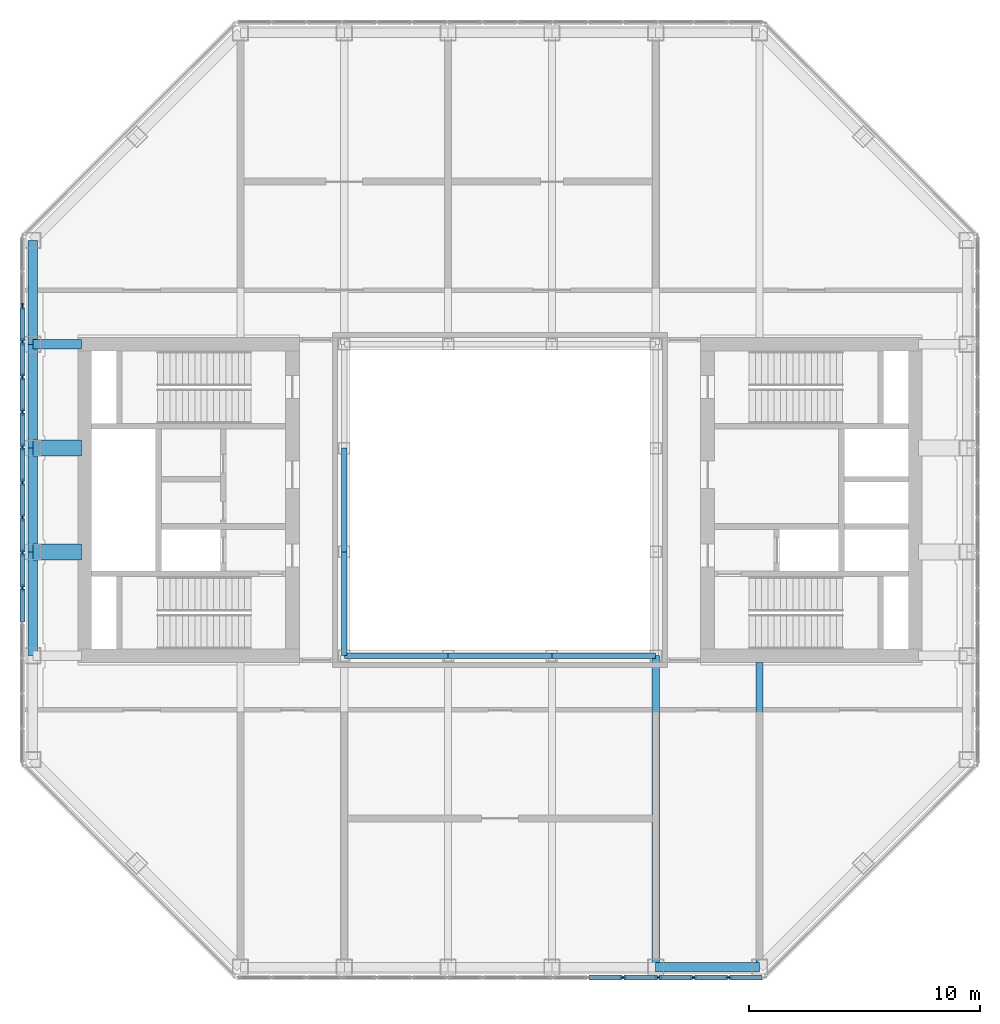
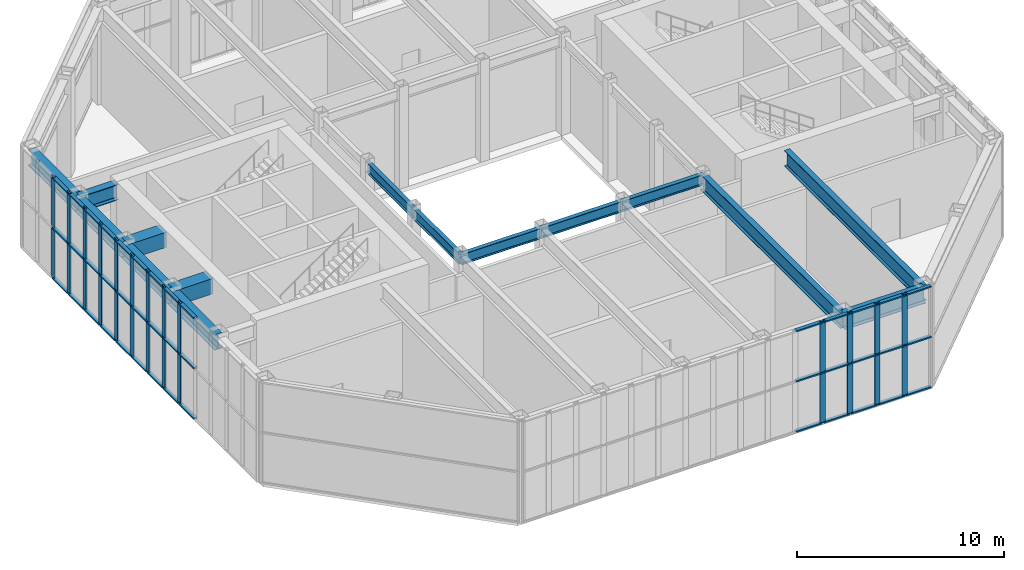
# One storey, part 3 of 12: 55 members, 15 beams, 2 elements without a shape of their own.
"""IFC4 building model written with IfcOpenShell, lengths in metres."""

from ifc_helpers import new_model, si_unit, direction, frame, origin, origin_2d, place, context, subcontext, project, spatial, rectangle, hollow_rectangle, i_section, extrude, material, material_profile, profile_set, type_object, element, aggregate, save


model = new_model("IFC4")

# Units and contexts
model_context = context("Model", 3, precision=1e-05, world=origin(), true_north=direction((0.0, 1.0)))
body_context = subcontext(model_context, "Body", "Model", "MODEL_VIEW")
ifc_project = project(units=[si_unit("LENGTHUNIT", "METRE"), si_unit("AREAUNIT", "SQUARE_METRE"), si_unit("VOLUMEUNIT", "CUBIC_METRE"), si_unit("PLANEANGLEUNIT", "RADIAN"), si_unit("MASSUNIT", "GRAM", prefix="KILO")], contexts=[model_context])

# Site, building, storey
site_placement = place(None, origin())
site = spatial("IfcSite", under=ifc_project, at=site_placement, CompositionType="ELEMENT")
building_placement = place(site_placement, origin())
building = spatial("IfcBuilding", under=site, at=building_placement, Name="Msasa Ring Tower", CompositionType="ELEMENT")
storey_placement = place(building_placement, frame((0.0, 0.0, 262.050048828125)))
storey = spatial("IfcBuildingStorey", under=building, at=storey_placement, Name="L68", CompositionType="ELEMENT", Elevation=262.050048828125)

# Curtain wall, members
ifc_material_1 = material(Name="Aluminium curtain wall with clear glass", Category="aluminium")
curtain_wall_type = type_object("IfcCurtainWallType", Name="CW-L LANTERN CURTAIN WALL", PredefinedType="NOTDEFINED", material=ifc_material_1)
curtain_wall_1_placement = place(storey_placement, origin())
curtain_wall_1 = element("IfcCurtainWall", 1, at=curtain_wall_1_placement, inside=storey, type_object=curtain_wall_type, Name="Lantern curtain wall S L68", PredefinedType="NOTDEFINED")
ifc_material_2 = material(Name="Aluminium mullion", Category="aluminium")
ifc_material_profile_1 = material_profile(ifc_material_2, rectangle(XDim=0.080078125, YDim=0.300048828125, at=origin_2d()), Name="AL 80x300")
ifc_profile_set_1 = profile_set([ifc_material_profile_1], Name="Aluminium mullion")
member_type_1 = type_object("IfcMemberType", Name="CW-L MULLION 80x300", PredefinedType="MULLION", material=ifc_profile_set_1)
member_1_placement = place(storey_placement, frame((5.3369140625, -20.699951171875, 0.0), z_axis=(0.0, 0.0, 1.0), x_axis=(0.0, 1.0, 0.0)))
member_1 = element("IfcMember", 2, at=member_1_placement, type_object=member_type_1, Name="CW-L mullion 12", PredefinedType="MULLION", context=body_context, shape_type="SweptSolid", body=[
    extrude(rectangle(XDim=0.080078125, YDim=0.300048828125, at=origin_2d()), origin(), (0.0, 0.0, 1.0), 6.0),
])
member_2_placement = place(storey_placement, frame((6.86181640625, -20.699951171875, 0.0), z_axis=(0.0, 0.0, 1.0), x_axis=(0.0, 1.0, 0.0)))
member_2 = element("IfcMember", 3, at=member_2_placement, type_object=member_type_1, Name="CW-L mullion 13", PredefinedType="MULLION", context=body_context, shape_type="SweptSolid", body=[
    extrude(rectangle(XDim=0.080078125, YDim=0.300048828125, at=origin_2d()), origin(), (0.0, 0.0, 1.0), 6.0),
])
member_3_placement = place(storey_placement, frame((8.38671875, -20.699951171875, 0.0), z_axis=(0.0, 0.0, 1.0), x_axis=(0.0, 1.0, 0.0)))
member_3 = element("IfcMember", 4, at=member_3_placement, type_object=member_type_1, Name="CW-L mullion 14", PredefinedType="MULLION", context=body_context, shape_type="SweptSolid", body=[
    extrude(rectangle(XDim=0.080078125, YDim=0.300048828125, at=origin_2d()), origin(), (0.0, 0.0, 1.0), 6.0),
])
member_4_placement = place(storey_placement, frame((9.91162109375, -20.699951171875, 0.0), z_axis=(0.0, 0.0, 1.0), x_axis=(0.0, 1.0, 0.0)))
member_4 = element("IfcMember", 5, at=member_4_placement, type_object=member_type_1, Name="CW-L mullion 15", PredefinedType="MULLION", context=body_context, shape_type="SweptSolid", body=[
    extrude(rectangle(XDim=0.080078125, YDim=0.300048828125, at=origin_2d()), origin(), (0.0, 0.0, 1.0), 6.0),
])

curtain_wall_2_placement = place(storey_placement, origin())
curtain_wall_2 = element("IfcCurtainWall", 6, at=curtain_wall_2_placement, inside=storey, type_object=curtain_wall_type, Name="Lantern curtain wall W L68", PredefinedType="NOTDEFINED")
member_5_placement = place(storey_placement, frame((-20.699951171875, 8.38671875, 0.0), z_axis=(0.0, 0.0, 1.0), x_axis=(1.0, 0.0, 0.0)))
member_5 = element("IfcMember", 7, at=member_5_placement, type_object=member_type_1, Name="CW-L mullion 3", PredefinedType="MULLION", context=body_context, shape_type="SweptSolid", body=[
    extrude(rectangle(XDim=0.080078125, YDim=0.300048828125, at=origin_2d()), origin(), (0.0, 0.0, 1.0), 6.0),
])
member_6_placement = place(storey_placement, frame((-20.699951171875, 6.86181640625, 0.0), z_axis=(0.0, 0.0, 1.0), x_axis=(1.0, 0.0, 0.0)))
member_6 = element("IfcMember", 8, at=member_6_placement, type_object=member_type_1, Name="CW-L mullion 4", PredefinedType="MULLION", context=body_context, shape_type="SweptSolid", body=[
    extrude(rectangle(XDim=0.080078125, YDim=0.300048828125, at=origin_2d()), origin(), (0.0, 0.0, 1.0), 6.0),
])
member_7_placement = place(storey_placement, frame((-20.699951171875, 5.3369140625, 0.0), z_axis=(0.0, 0.0, 1.0), x_axis=(1.0, 0.0, 0.0)))
member_7 = element("IfcMember", 9, at=member_7_placement, type_object=member_type_1, Name="CW-L mullion 5", PredefinedType="MULLION", context=body_context, shape_type="SweptSolid", body=[
    extrude(rectangle(XDim=0.080078125, YDim=0.300048828125, at=origin_2d()), origin(), (0.0, 0.0, 1.0), 6.0),
])
member_8_placement = place(storey_placement, frame((-20.699951171875, 3.81201171875, 0.0), z_axis=(0.0, 0.0, 1.0), x_axis=(1.0, 0.0, 0.0)))
member_8 = element("IfcMember", 10, at=member_8_placement, type_object=member_type_1, Name="CW-L mullion 6", PredefinedType="MULLION", context=body_context, shape_type="SweptSolid", body=[
    extrude(rectangle(XDim=0.080078125, YDim=0.300048828125, at=origin_2d()), origin(), (0.0, 0.0, 1.0), 6.0),
])
member_9_placement = place(storey_placement, frame((-20.699951171875, 2.287353515625, 0.0), z_axis=(0.0, 0.0, 1.0), x_axis=(1.0, 0.0, 0.0)))
member_9 = element("IfcMember", 11, at=member_9_placement, type_object=member_type_1, Name="CW-L mullion 7", PredefinedType="MULLION", context=body_context, shape_type="SweptSolid", body=[
    extrude(rectangle(XDim=0.080078125, YDim=0.300048828125, at=origin_2d()), origin(), (0.0, 0.0, 1.0), 6.0),
])
member_10_placement = place(storey_placement, frame((-20.699951171875, 0.762451171875, 0.0), z_axis=(0.0, 0.0, 1.0), x_axis=(1.0, 0.0, 0.0)))
member_10 = element("IfcMember", 12, at=member_10_placement, type_object=member_type_1, Name="CW-L mullion 8", PredefinedType="MULLION", context=body_context, shape_type="SweptSolid", body=[
    extrude(rectangle(XDim=0.080078125, YDim=0.300048828125, at=origin_2d()), origin(), (0.0, 0.0, 1.0), 6.0),
])
member_11_placement = place(storey_placement, frame((-20.699951171875, -0.762451171875, 0.0), z_axis=(0.0, 0.0, 1.0), x_axis=(1.0, 0.0, 0.0)))
member_11 = element("IfcMember", 13, at=member_11_placement, type_object=member_type_1, Name="CW-L mullion 9", PredefinedType="MULLION", context=body_context, shape_type="SweptSolid", body=[
    extrude(rectangle(XDim=0.080078125, YDim=0.300048828125, at=origin_2d()), origin(), (0.0, 0.0, 1.0), 6.0),
])
member_12_placement = place(storey_placement, frame((-20.699951171875, -2.287353515625, 0.0), z_axis=(0.0, 0.0, 1.0), x_axis=(1.0, 0.0, 0.0)))
member_12 = element("IfcMember", 14, at=member_12_placement, type_object=member_type_1, Name="CW-L mullion 10", PredefinedType="MULLION", context=body_context, shape_type="SweptSolid", body=[
    extrude(rectangle(XDim=0.080078125, YDim=0.300048828125, at=origin_2d()), origin(), (0.0, 0.0, 1.0), 6.0),
])
member_13_placement = place(storey_placement, frame((-20.699951171875, -3.81201171875, 0.0), z_axis=(0.0, 0.0, 1.0), x_axis=(1.0, 0.0, 0.0)))
member_13 = element("IfcMember", 15, at=member_13_placement, type_object=member_type_1, Name="CW-L mullion 11", PredefinedType="MULLION", context=body_context, shape_type="SweptSolid", body=[
    extrude(rectangle(XDim=0.080078125, YDim=0.300048828125, at=origin_2d()), origin(), (0.0, 0.0, 1.0), 6.0),
])

# Member
ifc_material_3 = material(Name="Aluminium transom", Category="aluminium")
ifc_material_profile_2 = material_profile(ifc_material_3, rectangle(XDim=0.199951171875, YDim=0.080078125, at=origin_2d()), Name="AL 80x200")
ifc_profile_set_2 = profile_set([ifc_material_profile_2], Name="Aluminium transom")
member_type_2 = type_object("IfcMemberType", Name="CW-L TRANSOM 80x200", PredefinedType="USERDEFINED", material=ifc_profile_set_2)
member_14_placement = place(storey_placement, frame((3.85205078125, -20.699951171875, 0.0400390625), z_axis=(1.0, 0.0, 0.0), x_axis=(0.0, 1.0, 0.0)))
member_14 = element("IfcMember", 16, at=member_14_placement, type_object=member_type_2, Name="CW-L transom 11.1", ObjectType="TRANSOM", PredefinedType="USERDEFINED", context=body_context, shape_type="SweptSolid", body=[
    extrude(rectangle(XDim=0.199951171875, YDim=0.080078125, at=origin_2d()), origin(), (0.0, 0.0, 1.0), 1.44482421875),
])

member_15_placement = place(storey_placement, frame((3.85205078125, -20.699951171875, 3.0), z_axis=(1.0, 0.0, 0.0), x_axis=(0.0, 1.0, 0.0)))
member_15 = element("IfcMember", 17, at=member_15_placement, type_object=member_type_2, Name="CW-L transom 11.2", ObjectType="TRANSOM", PredefinedType="USERDEFINED", context=body_context, shape_type="SweptSolid", body=[
    extrude(rectangle(XDim=0.199951171875, YDim=0.080078125, at=origin_2d()), origin(), (0.0, 0.0, 1.0), 1.44482421875),
])

member_16_placement = place(storey_placement, frame((3.85205078125, -20.699951171875, 5.9599609375), z_axis=(1.0, 0.0, 0.0), x_axis=(0.0, 1.0, 0.0)))
member_16 = element("IfcMember", 18, at=member_16_placement, type_object=member_type_2, Name="CW-L transom 11.3", ObjectType="TRANSOM", PredefinedType="USERDEFINED", context=body_context, shape_type="SweptSolid", body=[
    extrude(rectangle(XDim=0.199951171875, YDim=0.080078125, at=origin_2d()), origin(), (0.0, 0.0, 1.0), 1.44482421875),
])

member_17_placement = place(storey_placement, frame((5.376953125, -20.699951171875, 0.0400390625), z_axis=(1.0, 0.0, 0.0), x_axis=(0.0, 1.0, 0.0)))
member_17 = element("IfcMember", 19, at=member_17_placement, type_object=member_type_2, Name="CW-L transom 12.1", ObjectType="TRANSOM", PredefinedType="USERDEFINED", context=body_context, shape_type="SweptSolid", body=[
    extrude(rectangle(XDim=0.199951171875, YDim=0.080078125, at=origin_2d()), origin(), (0.0, 0.0, 1.0), 1.44482421875),
])

member_18_placement = place(storey_placement, frame((5.376953125, -20.699951171875, 3.0), z_axis=(1.0, 0.0, 0.0), x_axis=(0.0, 1.0, 0.0)))
member_18 = element("IfcMember", 20, at=member_18_placement, type_object=member_type_2, Name="CW-L transom 12.2", ObjectType="TRANSOM", PredefinedType="USERDEFINED", context=body_context, shape_type="SweptSolid", body=[
    extrude(rectangle(XDim=0.199951171875, YDim=0.080078125, at=origin_2d()), origin(), (0.0, 0.0, 1.0), 1.44482421875),
])

member_19_placement = place(storey_placement, frame((5.376953125, -20.699951171875, 5.9599609375), z_axis=(1.0, 0.0, 0.0), x_axis=(0.0, 1.0, 0.0)))
member_19 = element("IfcMember", 21, at=member_19_placement, type_object=member_type_2, Name="CW-L transom 12.3", ObjectType="TRANSOM", PredefinedType="USERDEFINED", context=body_context, shape_type="SweptSolid", body=[
    extrude(rectangle(XDim=0.199951171875, YDim=0.080078125, at=origin_2d()), origin(), (0.0, 0.0, 1.0), 1.44482421875),
])

member_20_placement = place(storey_placement, frame((6.90185546875, -20.699951171875, 0.0400390625), z_axis=(1.0, 0.0, 0.0), x_axis=(0.0, 1.0, 0.0)))
member_20 = element("IfcMember", 22, at=member_20_placement, type_object=member_type_2, Name="CW-L transom 13.1", ObjectType="TRANSOM", PredefinedType="USERDEFINED", context=body_context, shape_type="SweptSolid", body=[
    extrude(rectangle(XDim=0.199951171875, YDim=0.080078125, at=origin_2d()), origin(), (0.0, 0.0, 1.0), 1.44482421875),
])

member_21_placement = place(storey_placement, frame((6.90185546875, -20.699951171875, 3.0), z_axis=(1.0, 0.0, 0.0), x_axis=(0.0, 1.0, 0.0)))
member_21 = element("IfcMember", 23, at=member_21_placement, type_object=member_type_2, Name="CW-L transom 13.2", ObjectType="TRANSOM", PredefinedType="USERDEFINED", context=body_context, shape_type="SweptSolid", body=[
    extrude(rectangle(XDim=0.199951171875, YDim=0.080078125, at=origin_2d()), origin(), (0.0, 0.0, 1.0), 1.44482421875),
])

member_22_placement = place(storey_placement, frame((6.90185546875, -20.699951171875, 5.9599609375), z_axis=(1.0, 0.0, 0.0), x_axis=(0.0, 1.0, 0.0)))
member_22 = element("IfcMember", 24, at=member_22_placement, type_object=member_type_2, Name="CW-L transom 13.3", ObjectType="TRANSOM", PredefinedType="USERDEFINED", context=body_context, shape_type="SweptSolid", body=[
    extrude(rectangle(XDim=0.199951171875, YDim=0.080078125, at=origin_2d()), origin(), (0.0, 0.0, 1.0), 1.44482421875),
])

member_23_placement = place(storey_placement, frame((8.4267578125, -20.699951171875, 0.0400390625), z_axis=(1.0, 0.0, 0.0), x_axis=(0.0, 1.0, 0.0)))
member_23 = element("IfcMember", 25, at=member_23_placement, type_object=member_type_2, Name="CW-L transom 14.1", ObjectType="TRANSOM", PredefinedType="USERDEFINED", context=body_context, shape_type="SweptSolid", body=[
    extrude(rectangle(XDim=0.199951171875, YDim=0.080078125, at=origin_2d()), origin(), (0.0, 0.0, 1.0), 1.44482421875),
])

member_24_placement = place(storey_placement, frame((8.4267578125, -20.699951171875, 3.0), z_axis=(1.0, 0.0, 0.0), x_axis=(0.0, 1.0, 0.0)))
member_24 = element("IfcMember", 26, at=member_24_placement, type_object=member_type_2, Name="CW-L transom 14.2", ObjectType="TRANSOM", PredefinedType="USERDEFINED", context=body_context, shape_type="SweptSolid", body=[
    extrude(rectangle(XDim=0.199951171875, YDim=0.080078125, at=origin_2d()), origin(), (0.0, 0.0, 1.0), 1.44482421875),
])

member_25_placement = place(storey_placement, frame((8.4267578125, -20.699951171875, 5.9599609375), z_axis=(1.0, 0.0, 0.0), x_axis=(0.0, 1.0, 0.0)))
member_25 = element("IfcMember", 27, at=member_25_placement, type_object=member_type_2, Name="CW-L transom 14.3", ObjectType="TRANSOM", PredefinedType="USERDEFINED", context=body_context, shape_type="SweptSolid", body=[
    extrude(rectangle(XDim=0.199951171875, YDim=0.080078125, at=origin_2d()), origin(), (0.0, 0.0, 1.0), 1.44482421875),
])

member_26_placement = place(storey_placement, frame((9.95166015625, -20.699951171875, 0.0400390625), z_axis=(1.0, 0.0, 0.0), x_axis=(0.0, 1.0, 0.0)))
member_26 = element("IfcMember", 28, at=member_26_placement, type_object=member_type_2, Name="CW-L transom 15.1", ObjectType="TRANSOM", PredefinedType="USERDEFINED", context=body_context, shape_type="SweptSolid", body=[
    extrude(rectangle(XDim=0.199951171875, YDim=0.080078125, at=origin_2d()), origin(), (0.0, 0.0, 1.0), 1.40478515625),
])

member_27_placement = place(storey_placement, frame((9.95166015625, -20.699951171875, 3.0), z_axis=(1.0, 0.0, 0.0), x_axis=(0.0, 1.0, 0.0)))
member_27 = element("IfcMember", 29, at=member_27_placement, type_object=member_type_2, Name="CW-L transom 15.2", ObjectType="TRANSOM", PredefinedType="USERDEFINED", context=body_context, shape_type="SweptSolid", body=[
    extrude(rectangle(XDim=0.199951171875, YDim=0.080078125, at=origin_2d()), origin(), (0.0, 0.0, 1.0), 1.40478515625),
])

member_28_placement = place(storey_placement, frame((9.95166015625, -20.699951171875, 5.9599609375), z_axis=(1.0, 0.0, 0.0), x_axis=(0.0, 1.0, 0.0)))
member_28 = element("IfcMember", 30, at=member_28_placement, type_object=member_type_2, Name="CW-L transom 15.3", ObjectType="TRANSOM", PredefinedType="USERDEFINED", context=body_context, shape_type="SweptSolid", body=[
    extrude(rectangle(XDim=0.199951171875, YDim=0.080078125, at=origin_2d()), origin(), (0.0, 0.0, 1.0), 1.40478515625),
])

aggregate(curtain_wall_1, [member_1, member_2, member_3, member_4, member_14, member_15, member_16, member_17, member_18, member_19, member_20, member_21, member_22, member_23, member_24, member_25, member_26, member_27, member_28])

member_29_placement = place(storey_placement, frame((-20.699951171875, 8.3466796875, 0.0400390625), z_axis=(0.0, -1.0, 0.0), x_axis=(1.0, 0.0, 0.0)))
member_29 = element("IfcMember", 31, at=member_29_placement, type_object=member_type_2, Name="CW-L transom 3.1", ObjectType="TRANSOM", PredefinedType="USERDEFINED", context=body_context, shape_type="SweptSolid", body=[
    extrude(rectangle(XDim=0.199951171875, YDim=0.080078125, at=origin_2d()), origin(), (0.0, 0.0, 1.0), 1.44482421875),
])

member_30_placement = place(storey_placement, frame((-20.699951171875, 8.3466796875, 3.0), z_axis=(0.0, -1.0, 0.0), x_axis=(1.0, 0.0, 0.0)))
member_30 = element("IfcMember", 32, at=member_30_placement, type_object=member_type_2, Name="CW-L transom 3.2", ObjectType="TRANSOM", PredefinedType="USERDEFINED", context=body_context, shape_type="SweptSolid", body=[
    extrude(rectangle(XDim=0.199951171875, YDim=0.080078125, at=origin_2d()), origin(), (0.0, 0.0, 1.0), 1.44482421875),
])

member_31_placement = place(storey_placement, frame((-20.699951171875, 8.3466796875, 5.9599609375), z_axis=(0.0, -1.0, 0.0), x_axis=(1.0, 0.0, 0.0)))
member_31 = element("IfcMember", 33, at=member_31_placement, type_object=member_type_2, Name="CW-L transom 3.3", ObjectType="TRANSOM", PredefinedType="USERDEFINED", context=body_context, shape_type="SweptSolid", body=[
    extrude(rectangle(XDim=0.199951171875, YDim=0.080078125, at=origin_2d()), origin(), (0.0, 0.0, 1.0), 1.44482421875),
])

member_32_placement = place(storey_placement, frame((-20.699951171875, 6.82177734375, 0.0400390625), z_axis=(0.0, -1.0, 0.0), x_axis=(1.0, 0.0, 0.0)))
member_32 = element("IfcMember", 34, at=member_32_placement, type_object=member_type_2, Name="CW-L transom 4.1", ObjectType="TRANSOM", PredefinedType="USERDEFINED", context=body_context, shape_type="SweptSolid", body=[
    extrude(rectangle(XDim=0.199951171875, YDim=0.080078125, at=origin_2d()), origin(), (0.0, 0.0, 1.0), 1.44482421875),
])

member_33_placement = place(storey_placement, frame((-20.699951171875, 6.82177734375, 3.0), z_axis=(0.0, -1.0, 0.0), x_axis=(1.0, 0.0, 0.0)))
member_33 = element("IfcMember", 35, at=member_33_placement, type_object=member_type_2, Name="CW-L transom 4.2", ObjectType="TRANSOM", PredefinedType="USERDEFINED", context=body_context, shape_type="SweptSolid", body=[
    extrude(rectangle(XDim=0.199951171875, YDim=0.080078125, at=origin_2d()), origin(), (0.0, 0.0, 1.0), 1.44482421875),
])

member_34_placement = place(storey_placement, frame((-20.699951171875, 6.82177734375, 5.9599609375), z_axis=(0.0, -1.0, 0.0), x_axis=(1.0, 0.0, 0.0)))
member_34 = element("IfcMember", 36, at=member_34_placement, type_object=member_type_2, Name="CW-L transom 4.3", ObjectType="TRANSOM", PredefinedType="USERDEFINED", context=body_context, shape_type="SweptSolid", body=[
    extrude(rectangle(XDim=0.199951171875, YDim=0.080078125, at=origin_2d()), origin(), (0.0, 0.0, 1.0), 1.44482421875),
])

member_35_placement = place(storey_placement, frame((-20.699951171875, 5.296875, 0.0400390625), z_axis=(0.0, -1.0, 0.0), x_axis=(1.0, 0.0, 0.0)))
member_35 = element("IfcMember", 37, at=member_35_placement, type_object=member_type_2, Name="CW-L transom 5.1", ObjectType="TRANSOM", PredefinedType="USERDEFINED", context=body_context, shape_type="SweptSolid", body=[
    extrude(rectangle(XDim=0.199951171875, YDim=0.080078125, at=origin_2d()), origin(), (0.0, 0.0, 1.0), 1.44482421875),
])

member_36_placement = place(storey_placement, frame((-20.699951171875, 5.296875, 3.0), z_axis=(0.0, -1.0, 0.0), x_axis=(1.0, 0.0, 0.0)))
member_36 = element("IfcMember", 38, at=member_36_placement, type_object=member_type_2, Name="CW-L transom 5.2", ObjectType="TRANSOM", PredefinedType="USERDEFINED", context=body_context, shape_type="SweptSolid", body=[
    extrude(rectangle(XDim=0.199951171875, YDim=0.080078125, at=origin_2d()), origin(), (0.0, 0.0, 1.0), 1.44482421875),
])

member_37_placement = place(storey_placement, frame((-20.699951171875, 5.296875, 5.9599609375), z_axis=(0.0, -1.0, 0.0), x_axis=(1.0, 0.0, 0.0)))
member_37 = element("IfcMember", 39, at=member_37_placement, type_object=member_type_2, Name="CW-L transom 5.3", ObjectType="TRANSOM", PredefinedType="USERDEFINED", context=body_context, shape_type="SweptSolid", body=[
    extrude(rectangle(XDim=0.199951171875, YDim=0.080078125, at=origin_2d()), origin(), (0.0, 0.0, 1.0), 1.44482421875),
])

member_38_placement = place(storey_placement, frame((-20.699951171875, 3.772216796875, 0.0400390625), z_axis=(0.0, -1.0, 0.0), x_axis=(1.0, 0.0, 0.0)))
member_38 = element("IfcMember", 40, at=member_38_placement, type_object=member_type_2, Name="CW-L transom 6.1", ObjectType="TRANSOM", PredefinedType="USERDEFINED", context=body_context, shape_type="SweptSolid", body=[
    extrude(rectangle(XDim=0.199951171875, YDim=0.080078125, at=origin_2d()), origin(), (0.0, 0.0, 1.0), 1.44482421875),
])

member_39_placement = place(storey_placement, frame((-20.699951171875, 3.772216796875, 3.0), z_axis=(0.0, -1.0, 0.0), x_axis=(1.0, 0.0, 0.0)))
member_39 = element("IfcMember", 41, at=member_39_placement, type_object=member_type_2, Name="CW-L transom 6.2", ObjectType="TRANSOM", PredefinedType="USERDEFINED", context=body_context, shape_type="SweptSolid", body=[
    extrude(rectangle(XDim=0.199951171875, YDim=0.080078125, at=origin_2d()), origin(), (0.0, 0.0, 1.0), 1.44482421875),
])

member_40_placement = place(storey_placement, frame((-20.699951171875, 3.772216796875, 5.9599609375), z_axis=(0.0, -1.0, 0.0), x_axis=(1.0, 0.0, 0.0)))
member_40 = element("IfcMember", 42, at=member_40_placement, type_object=member_type_2, Name="CW-L transom 6.3", ObjectType="TRANSOM", PredefinedType="USERDEFINED", context=body_context, shape_type="SweptSolid", body=[
    extrude(rectangle(XDim=0.199951171875, YDim=0.080078125, at=origin_2d()), origin(), (0.0, 0.0, 1.0), 1.44482421875),
])

member_41_placement = place(storey_placement, frame((-20.699951171875, 2.247314453125, 0.0400390625), z_axis=(0.0, -1.0, 0.0), x_axis=(1.0, 0.0, 0.0)))
member_41 = element("IfcMember", 43, at=member_41_placement, type_object=member_type_2, Name="CW-L transom 7.1", ObjectType="TRANSOM", PredefinedType="USERDEFINED", context=body_context, shape_type="SweptSolid", body=[
    extrude(rectangle(XDim=0.199951171875, YDim=0.080078125, at=origin_2d()), origin(), (0.0, 0.0, 1.0), 1.44482421875),
])

member_42_placement = place(storey_placement, frame((-20.699951171875, 2.247314453125, 3.0), z_axis=(0.0, -1.0, 0.0), x_axis=(1.0, 0.0, 0.0)))
member_42 = element("IfcMember", 44, at=member_42_placement, type_object=member_type_2, Name="CW-L transom 7.2", ObjectType="TRANSOM", PredefinedType="USERDEFINED", context=body_context, shape_type="SweptSolid", body=[
    extrude(rectangle(XDim=0.199951171875, YDim=0.080078125, at=origin_2d()), origin(), (0.0, 0.0, 1.0), 1.44482421875),
])

member_43_placement = place(storey_placement, frame((-20.699951171875, 2.247314453125, 5.9599609375), z_axis=(0.0, -1.0, 0.0), x_axis=(1.0, 0.0, 0.0)))
member_43 = element("IfcMember", 45, at=member_43_placement, type_object=member_type_2, Name="CW-L transom 7.3", ObjectType="TRANSOM", PredefinedType="USERDEFINED", context=body_context, shape_type="SweptSolid", body=[
    extrude(rectangle(XDim=0.199951171875, YDim=0.080078125, at=origin_2d()), origin(), (0.0, 0.0, 1.0), 1.44482421875),
])

member_44_placement = place(storey_placement, frame((-20.699951171875, 0.722412109375, 0.0400390625), z_axis=(0.0, -1.0, 0.0), x_axis=(1.0, 0.0, 0.0)))
member_44 = element("IfcMember", 46, at=member_44_placement, type_object=member_type_2, Name="CW-L transom 8.1", ObjectType="TRANSOM", PredefinedType="USERDEFINED", context=body_context, shape_type="SweptSolid", body=[
    extrude(rectangle(XDim=0.199951171875, YDim=0.080078125, at=origin_2d()), origin(), (0.0, 0.0, 1.0), 1.44482421875),
])

member_45_placement = place(storey_placement, frame((-20.699951171875, 0.722412109375, 3.0), z_axis=(0.0, -1.0, 0.0), x_axis=(1.0, 0.0, 0.0)))
member_45 = element("IfcMember", 47, at=member_45_placement, type_object=member_type_2, Name="CW-L transom 8.2", ObjectType="TRANSOM", PredefinedType="USERDEFINED", context=body_context, shape_type="SweptSolid", body=[
    extrude(rectangle(XDim=0.199951171875, YDim=0.080078125, at=origin_2d()), origin(), (0.0, 0.0, 1.0), 1.44482421875),
])

member_46_placement = place(storey_placement, frame((-20.699951171875, 0.722412109375, 5.9599609375), z_axis=(0.0, -1.0, 0.0), x_axis=(1.0, 0.0, 0.0)))
member_46 = element("IfcMember", 48, at=member_46_placement, type_object=member_type_2, Name="CW-L transom 8.3", ObjectType="TRANSOM", PredefinedType="USERDEFINED", context=body_context, shape_type="SweptSolid", body=[
    extrude(rectangle(XDim=0.199951171875, YDim=0.080078125, at=origin_2d()), origin(), (0.0, 0.0, 1.0), 1.44482421875),
])

member_47_placement = place(storey_placement, frame((-20.699951171875, -0.802490234375, 0.0400390625), z_axis=(0.0, -1.0, 0.0), x_axis=(1.0, 0.0, 0.0)))
member_47 = element("IfcMember", 49, at=member_47_placement, type_object=member_type_2, Name="CW-L transom 9.1", ObjectType="TRANSOM", PredefinedType="USERDEFINED", context=body_context, shape_type="SweptSolid", body=[
    extrude(rectangle(XDim=0.199951171875, YDim=0.080078125, at=origin_2d()), origin(), (0.0, 0.0, 1.0), 1.44482421875),
])

member_48_placement = place(storey_placement, frame((-20.699951171875, -0.802490234375, 3.0), z_axis=(0.0, -1.0, 0.0), x_axis=(1.0, 0.0, 0.0)))
member_48 = element("IfcMember", 50, at=member_48_placement, type_object=member_type_2, Name="CW-L transom 9.2", ObjectType="TRANSOM", PredefinedType="USERDEFINED", context=body_context, shape_type="SweptSolid", body=[
    extrude(rectangle(XDim=0.199951171875, YDim=0.080078125, at=origin_2d()), origin(), (0.0, 0.0, 1.0), 1.44482421875),
])

member_49_placement = place(storey_placement, frame((-20.699951171875, -0.802490234375, 5.9599609375), z_axis=(0.0, -1.0, 0.0), x_axis=(1.0, 0.0, 0.0)))
member_49 = element("IfcMember", 51, at=member_49_placement, type_object=member_type_2, Name="CW-L transom 9.3", ObjectType="TRANSOM", PredefinedType="USERDEFINED", context=body_context, shape_type="SweptSolid", body=[
    extrude(rectangle(XDim=0.199951171875, YDim=0.080078125, at=origin_2d()), origin(), (0.0, 0.0, 1.0), 1.44482421875),
])

member_50_placement = place(storey_placement, frame((-20.699951171875, -2.327392578125, 0.0400390625), z_axis=(0.0, -1.0, 0.0), x_axis=(1.0, 0.0, 0.0)))
member_50 = element("IfcMember", 52, at=member_50_placement, type_object=member_type_2, Name="CW-L transom 10.1", ObjectType="TRANSOM", PredefinedType="USERDEFINED", context=body_context, shape_type="SweptSolid", body=[
    extrude(rectangle(XDim=0.199951171875, YDim=0.080078125, at=origin_2d()), origin(), (0.0, 0.0, 1.0), 1.44482421875),
])

member_51_placement = place(storey_placement, frame((-20.699951171875, -2.327392578125, 3.0), z_axis=(0.0, -1.0, 0.0), x_axis=(1.0, 0.0, 0.0)))
member_51 = element("IfcMember", 53, at=member_51_placement, type_object=member_type_2, Name="CW-L transom 10.2", ObjectType="TRANSOM", PredefinedType="USERDEFINED", context=body_context, shape_type="SweptSolid", body=[
    extrude(rectangle(XDim=0.199951171875, YDim=0.080078125, at=origin_2d()), origin(), (0.0, 0.0, 1.0), 1.44482421875),
])

member_52_placement = place(storey_placement, frame((-20.699951171875, -2.327392578125, 5.9599609375), z_axis=(0.0, -1.0, 0.0), x_axis=(1.0, 0.0, 0.0)))
member_52 = element("IfcMember", 54, at=member_52_placement, type_object=member_type_2, Name="CW-L transom 10.3", ObjectType="TRANSOM", PredefinedType="USERDEFINED", context=body_context, shape_type="SweptSolid", body=[
    extrude(rectangle(XDim=0.199951171875, YDim=0.080078125, at=origin_2d()), origin(), (0.0, 0.0, 1.0), 1.44482421875),
])

member_53_placement = place(storey_placement, frame((-20.699951171875, -3.85205078125, 0.0400390625), z_axis=(0.0, -1.0, 0.0), x_axis=(1.0, 0.0, 0.0)))
member_53 = element("IfcMember", 55, at=member_53_placement, type_object=member_type_2, Name="CW-L transom 11.1", ObjectType="TRANSOM", PredefinedType="USERDEFINED", context=body_context, shape_type="SweptSolid", body=[
    extrude(rectangle(XDim=0.199951171875, YDim=0.080078125, at=origin_2d()), origin(), (0.0, 0.0, 1.0), 1.44482421875),
])

member_54_placement = place(storey_placement, frame((-20.699951171875, -3.85205078125, 3.0), z_axis=(0.0, -1.0, 0.0), x_axis=(1.0, 0.0, 0.0)))
member_54 = element("IfcMember", 56, at=member_54_placement, type_object=member_type_2, Name="CW-L transom 11.2", ObjectType="TRANSOM", PredefinedType="USERDEFINED", context=body_context, shape_type="SweptSolid", body=[
    extrude(rectangle(XDim=0.199951171875, YDim=0.080078125, at=origin_2d()), origin(), (0.0, 0.0, 1.0), 1.44482421875),
])

member_55_placement = place(storey_placement, frame((-20.699951171875, -3.85205078125, 5.9599609375), z_axis=(0.0, -1.0, 0.0), x_axis=(1.0, 0.0, 0.0)))
member_55 = element("IfcMember", 57, at=member_55_placement, type_object=member_type_2, Name="CW-L transom 11.3", ObjectType="TRANSOM", PredefinedType="USERDEFINED", context=body_context, shape_type="SweptSolid", body=[
    extrude(rectangle(XDim=0.199951171875, YDim=0.080078125, at=origin_2d()), origin(), (0.0, 0.0, 1.0), 1.44482421875),
])

aggregate(curtain_wall_2, [member_5, member_6, member_7, member_8, member_9, member_10, member_11, member_12, member_13, member_29, member_30, member_31, member_32, member_33, member_34, member_35, member_36, member_37, member_38, member_39, member_40, member_41, member_42, member_43, member_44, member_45, member_46, member_47, member_48, member_49, member_50, member_51, member_52, member_53, member_54, member_55])

# Beams
ifc_material_4 = material(Name="Steel S355", Category="steel")
ifc_material_profile_3 = material_profile(ifc_material_4, i_section(OverallWidth=0.3076171875, OverallDepth=0.926513671875, WebThickness=0.01953125, FlangeThickness=0.031982421875, FilletRadius=0.01904296875, at=origin_2d()), Name="UB 914x305x289")
ifc_profile_set_3 = profile_set([ifc_material_profile_3], Name="Steel S355")
beam_type_1 = type_object("IfcBeamType", Name="FB3 UB 914x305x289", PredefinedType="BEAM", material=ifc_profile_set_3)
beam_1_placement = place(storey_placement, frame((6.75, -20.25, 5.28662109375), z_axis=(0.0, 1.0, 0.0), x_axis=(-1.0, 0.0, 0.0)))
element("IfcBeam", 58, at=beam_1_placement, inside=storey, type_object=beam_type_1, Name="Floor beam S+6.75 under L69", PredefinedType="BEAM", context=body_context, shape_type="SweptSolid", body=[
    extrude(i_section(OverallWidth=0.3076171875, OverallDepth=0.926513671875, WebThickness=0.01953125, FlangeThickness=0.031982421875, FilletRadius=0.01904296875, at=origin_2d()), origin(), (0.0, 0.0, 1.0), 13.5),
])
beam_2_placement = place(storey_placement, frame((11.25, -20.25, 5.28662109375), z_axis=(0.0, 1.0, 0.0), x_axis=(-1.0, 0.0, 0.0)))
element("IfcBeam", 59, at=beam_2_placement, inside=storey, type_object=beam_type_1, Name="Floor beam S+11.25 under L69", PredefinedType="BEAM", context=body_context, shape_type="SweptSolid", body=[
    extrude(i_section(OverallWidth=0.3076171875, OverallDepth=0.926513671875, WebThickness=0.01953125, FlangeThickness=0.031982421875, FilletRadius=0.01904296875, at=origin_2d()), origin(), (0.0, 0.0, 1.0), 13.199951171875),
])
ifc_material_5 = material(Name="Steel S355", Category="steel")
ifc_material_profile_4 = material_profile(ifc_material_5, hollow_rectangle(XDim=0.699951171875, YDim=0.89990234375, WallThickness=0.080078125, at=origin_2d()), Name="BOX 900x700x80")
ifc_profile_set_4 = profile_set([ifc_material_profile_4], Name="Steel S355")
beam_type_2 = type_object("IfcBeamType", Name="FB4 BOX 900x700x80", PredefinedType="BEAM", material=ifc_profile_set_4)
for number, where, z_axis, x_axis, name in (
    (60, (-20.25, -2.25, 5.300048828125), (1.0, 0.0, 0.0), (0.0, 1.0, 0.0), "Floor beam W -2.25 under L69"),
    (61, (-20.25, 2.25, 5.300048828125), (1.0, 0.0, 0.0), (0.0, 1.0, 0.0), "Floor beam W +2.25 under L69"),
):
    element("IfcBeam", number, at=place(storey_placement, frame(where, z_axis=z_axis, x_axis=x_axis)), inside=storey, type_object=beam_type_2, Name=name, PredefinedType="BEAM", context=body_context, shape_type="SweptSolid", body=[
        extrude(hollow_rectangle(XDim=0.699951171875, YDim=0.89990234375, WallThickness=0.080078125, at=origin_2d()), origin(), (0.0, 0.0, 1.0), 2.10009765625),
    ])
ifc_material_6 = material(Name="Steel S355", Category="steel")
ifc_material_profile_5 = material_profile(ifc_material_6, i_section(OverallWidth=0.42041015625, OverallDepth=0.9208984375, WebThickness=0.021484375, FlangeThickness=0.03662109375, FilletRadius=0.024169921875, at=origin_2d()), Name="UB 914x419x388")
ifc_profile_set_5 = profile_set([ifc_material_profile_5], Name="Steel S355")
beam_type_3 = type_object("IfcBeamType", Name="GB1 UB 914x419x388", PredefinedType="BEAM", material=ifc_profile_set_5)
beam_3_placement = place(storey_placement, frame((-18.14990234375, 6.75, 5.28955078125), z_axis=(-1.0, 0.0, 0.0), x_axis=(0.0, -1.0, 0.0)))
element("IfcBeam", 62, at=beam_3_placement, inside=storey, type_object=beam_type_3, Name="Girder W +6.75 under L69", PredefinedType="BEAM", context=body_context, shape_type="SweptSolid", body=[
    extrude(i_section(OverallWidth=0.42041015625, OverallDepth=0.9208984375, WebThickness=0.021484375, FlangeThickness=0.03662109375, FilletRadius=0.024169921875, at=origin_2d()), origin(), (0.0, 0.0, 1.0), 2.10009765625),
])
ifc_material_7 = material(Name="Steel S355", Category="steel")
ifc_material_profile_6 = material_profile(ifc_material_7, i_section(OverallWidth=0.230224609375, OverallDepth=0.6171875, WebThickness=0.01318359375, FlangeThickness=0.022216796875, FilletRadius=0.0126953125, at=origin_2d()), Name="UB 610x229x140")
ifc_profile_set_6 = profile_set([ifc_material_profile_6], Name="Steel S355")
beam_type_4 = type_object("IfcBeamType", Name="RB1 UB 610x229x140", PredefinedType="BEAM", material=ifc_profile_set_6)
for number, where, z_axis, x_axis, name in (
    (63, (-6.75, -2.25, 5.44140625), (0.0, -1.0, 0.0), (1.0, 0.0, 0.0), "Inner ring beam IR-6.75-2.25 under L69"),
    (64, (-6.75, -6.75, 5.44140625), (1.0, 0.0, 0.0), (0.0, 1.0, 0.0), "Inner ring beam IR-6.75-6.75 under L69"),
    (65, (-2.25, -6.75, 5.44140625), (1.0, 0.0, 0.0), (0.0, 1.0, 0.0), "Inner ring beam IR-2.25-6.75 under L69"),
    (66, (2.25, -6.75, 5.44140625), (1.0, 0.0, 0.0), (0.0, 1.0, 0.0), "Inner ring beam IR+2.25-6.75 under L69"),
    (67, (-6.75, 2.25, 5.44140625), (0.0, -1.0, 0.0), (1.0, 0.0, 0.0), "Inner ring beam IR-6.75+2.25 under L69"),
):
    element("IfcBeam", number, at=place(storey_placement, frame(where, z_axis=z_axis, x_axis=x_axis)), inside=storey, type_object=beam_type_4, Name=name, PredefinedType="BEAM", context=body_context, shape_type="SweptSolid", body=[
        extrude(i_section(OverallWidth=0.230224609375, OverallDepth=0.6171875, WebThickness=0.01318359375, FlangeThickness=0.022216796875, FilletRadius=0.0126953125, at=origin_2d()), origin(), (0.0, 0.0, 1.0), 4.5),
    ])
ifc_material_8 = material(Name="Steel S355", Category="steel")
ifc_material_profile_7 = material_profile(ifc_material_8, i_section(OverallWidth=0.42041015625, OverallDepth=0.9208984375, WebThickness=0.021484375, FlangeThickness=0.03662109375, FilletRadius=0.024169921875, at=origin_2d()), Name="UB 914x419x388")
ifc_profile_set_7 = profile_set([ifc_material_profile_7], Name="Steel S355")
beam_type_5 = type_object("IfcBeamType", Name="SB1 UB 914x419x388", PredefinedType="SPANDREL", material=ifc_profile_set_7)
for number, where, z_axis, x_axis, name in (
    (68, (-20.25, -2.25, 5.28955078125), (0.0, -1.0, 0.0), (1.0, 0.0, 0.0), "Spandrel W-2.25 to W-6.75 under L69"),
    (69, (6.75, -20.25, 5.28955078125), (1.0, 0.0, 0.0), (0.0, 1.0, 0.0), "Spandrel S+6.75 to S+11.25 under L69"),
    (70, (-20.25, 11.25, 5.28955078125), (0.0, -1.0, 0.0), (1.0, 0.0, 0.0), "Spandrel W+11.25 to W+6.75 under L69"),
    (71, (-20.25, 6.75, 5.28955078125), (0.0, -1.0, 0.0), (1.0, 0.0, 0.0), "Spandrel W+6.75 to W+2.25 under L69"),
    (72, (-20.25, 2.25, 5.28955078125), (0.0, -1.0, 0.0), (1.0, 0.0, 0.0), "Spandrel W+2.25 to W-2.25 under L69"),
):
    element("IfcBeam", number, at=place(storey_placement, frame(where, z_axis=z_axis, x_axis=x_axis)), inside=storey, type_object=beam_type_5, Name=name, PredefinedType="SPANDREL", context=body_context, shape_type="SweptSolid", body=[
        extrude(i_section(OverallWidth=0.42041015625, OverallDepth=0.9208984375, WebThickness=0.021484375, FlangeThickness=0.03662109375, FilletRadius=0.024169921875, at=origin_2d()), origin(), (0.0, 0.0, 1.0), 4.5),
    ])

save(model, "model.ifc")
